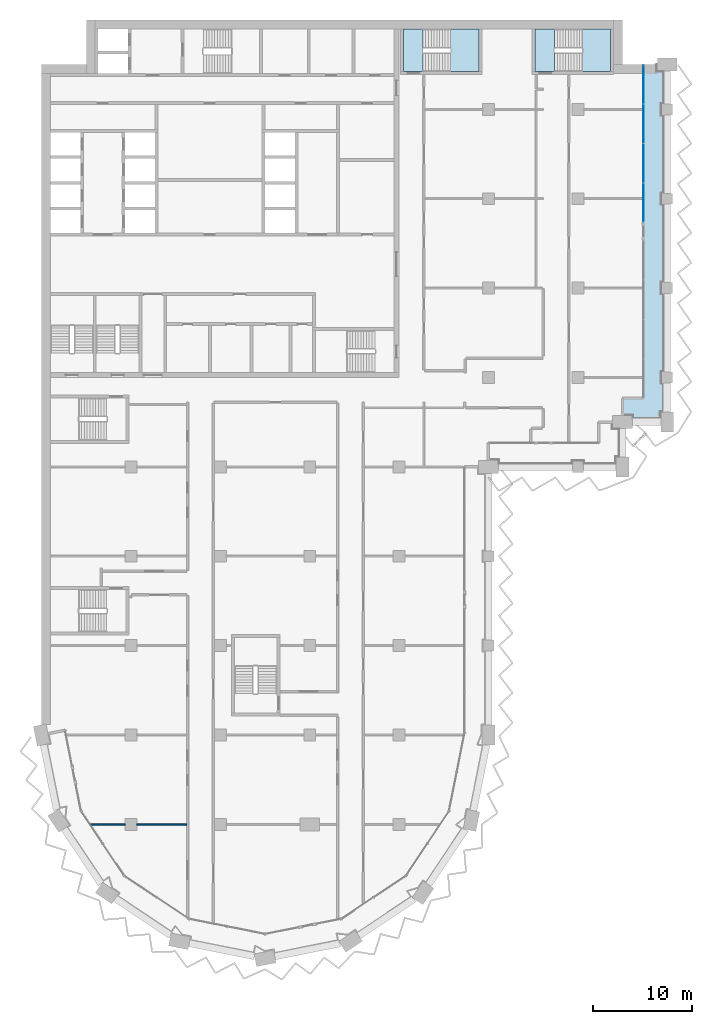
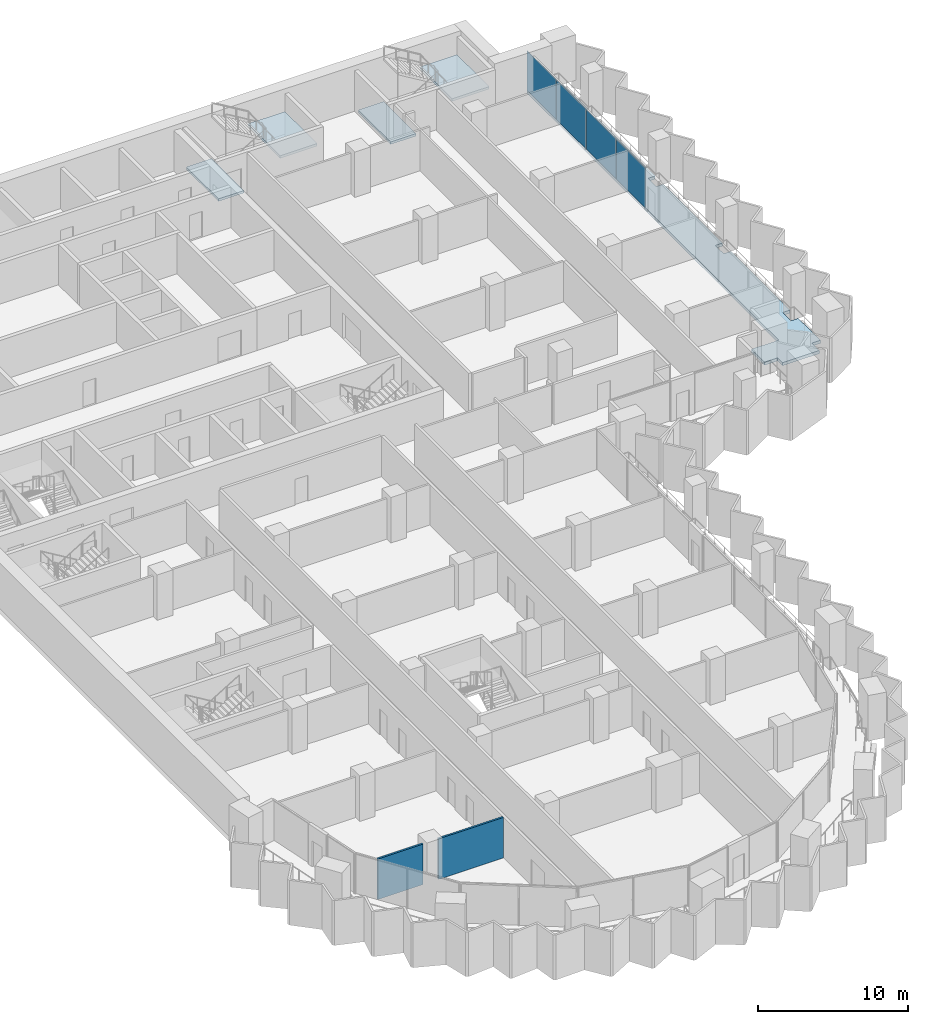
# One storey, part 7 of 22: 5 slabs, 4 plates, 2 walls, 3 elements without a shape of their own.
"""IFC4 building model written with IfcOpenShell, lengths in metres."""

import ifcopenshell
import ifcopenshell.guid

model = None  # the IFC model being written
_history = None  # IfcOwnerHistory: only IFC2X3 demands one
_inside = {}  # id of a spatial element -> (the spatial element, [elements in it])
_under = {}  # id of a project, library or spatial element -> (it, [spatial elements below it])
_declared = {}  # id of a project -> (the project, [libraries it declares])
_typed = {}  # id of a type object -> (the type object, [elements of that type])
_made_of = {}  # id of a material, layer set ... -> (it, [elements and type objects made of it])


def new_model(schema):
    """Start an empty IFC model of exactly this schema.

    Asked for "IFC4X3", IfcOpenShell would pick the latest addendum, in which some entities
    have other attributes; the version numbers below select the first issue.
    IFC2X3 requires an IfcOwnerHistory on every rooted entity: one is made here for all.
    """
    global model, _history
    if schema == "IFC4X3":
        model = ifcopenshell.file(schema_version=(4, 3, 0, 0))
    else:
        model = ifcopenshell.file(schema=schema)
    _inside.clear()
    _under.clear()
    _declared.clear()
    _typed.clear()
    _made_of.clear()
    _history = None
    if model.schema == "IFC2X3":
        org = make("IfcOrganization", Name="unknown")
        user = make(
            "IfcPersonAndOrganization",
            ThePerson=make("IfcPerson", FamilyName="unknown"),
            TheOrganization=org,
        )
        app = make(
            "IfcApplication",
            ApplicationDeveloper=org,
            Version="unknown",
            ApplicationFullName="unknown",
            ApplicationIdentifier="unknown",
        )
        _history = make(
            "IfcOwnerHistory",
            OwningUser=user,
            OwningApplication=app,
            ChangeAction="ADDED",
            CreationDate=0,
        )
    return model


def make(cls, **values):
    """One entity of the class cls with the attributes given. An attribute that is None is left unset."""
    return model.create_entity(
        cls, **{name: value for name, value in values.items() if value is not None}
    )


def rooted(cls, **values):
    """An entity with a GlobalId (a new one), such as an element, a storey or a relation."""
    return make(cls, GlobalId=ifcopenshell.guid.new(), OwnerHistory=_history, **values)


def si_unit(unit_type, name, prefix=None):
    """IfcSIUnit, for example si_unit("LENGTHUNIT", "METRE", prefix="MILLI")."""
    return make("IfcSIUnit", UnitType=unit_type, Prefix=prefix, Name=name)


def assignment(units):
    """IfcUnitAssignment: the units of a project."""
    return None if units is None else make("IfcUnitAssignment", Units=units)


def point(xyz):
    """IfcCartesianPoint."""
    return None if xyz is None else make("IfcCartesianPoint", Coordinates=xyz)


def direction(xyz):
    """IfcDirection."""
    return None if xyz is None else make("IfcDirection", DirectionRatios=xyz)


def frame(location, z_axis=None, x_axis=None):
    """IfcAxis2Placement3D, a coordinate frame: its origin and axes. An axis left out is left unset."""
    return make(
        "IfcAxis2Placement3D",
        Location=point(location),
        Axis=direction(z_axis),
        RefDirection=direction(x_axis),
    )


def frame_2d(location, x_axis=None):
    """IfcAxis2Placement2D, a coordinate frame in the plane: its origin and x axis."""
    return make(
        "IfcAxis2Placement2D", Location=point(location), RefDirection=direction(x_axis)
    )


def origin():
    """The frame at (0, 0, 0) with its axes left unset."""
    return frame((0.0, 0.0, 0.0))


def origin_2d():
    """The frame at (0, 0) in the plane with its x axis left unset."""
    return frame_2d((0.0, 0.0))


def place(relative_to, where):
    """IfcLocalPlacement: puts the frame where relative to a parent placement (None: the world)."""
    return make(
        "IfcLocalPlacement", PlacementRelTo=relative_to, RelativePlacement=where
    )


def context(
    kind, dimensions, precision=None, world=None, true_north=None, identifier=None
):
    """IfcGeometricRepresentationContext, for example the 3D "Model" context."""
    return make(
        "IfcGeometricRepresentationContext",
        ContextIdentifier=identifier,
        ContextType=kind,
        CoordinateSpaceDimension=dimensions,
        Precision=precision,
        WorldCoordinateSystem=world,
        TrueNorth=true_north,
    )


def subcontext(parent, identifier, kind, view, scale=None):
    """IfcGeometricRepresentationSubContext, for example "Body" below "Model"."""
    return make(
        "IfcGeometricRepresentationSubContext",
        ContextIdentifier=identifier,
        ContextType=kind,
        ParentContext=parent,
        TargetScale=scale,
        TargetView=view,
    )


def project(units=None, contexts=None):
    """IfcProject with its units and contexts."""
    return rooted(
        "IfcProject",
        Name="project",
        RepresentationContexts=contexts,
        UnitsInContext=assignment(units),
    )


def spatial(cls, under=None, at=None, **own):
    """A site, building, storey or space (cls), placed at a placement, below another one or the project."""
    s = rooted(cls, ObjectPlacement=at, **own)
    if under is not None:
        _under.setdefault(under.id(), (under, []))[1].append(s)
    return s


def polyline(points):
    """IfcPolyline through the points."""
    return make("IfcPolyline", Points=[point(p) for p in points])


def profile(cls, at=None, kind="AREA", **sizes):
    """A parametric profile (cls). Its sizes go by their IFC names, for example OverallWidth=200.0."""
    return make(cls, ProfileType=kind, Position=at, **sizes)


def rectangle(**sizes):
    """IfcRectangleProfileDef."""
    return profile("IfcRectangleProfileDef", **sizes)


def outline(outer, holes=None, kind="AREA"):
    """IfcArbitraryClosedProfileDef: a profile drawn as a closed curve; with holes, ...WithVoids."""
    if holes is None:
        return make("IfcArbitraryClosedProfileDef", ProfileType=kind, OuterCurve=outer)
    return make(
        "IfcArbitraryProfileDefWithVoids",
        ProfileType=kind,
        OuterCurve=outer,
        InnerCurves=holes,
    )


def extrude(swept, where, along, depth):
    """IfcExtrudedAreaSolid: the profile swept, set in the frame where, extruded along a direction by depth."""
    return make(
        "IfcExtrudedAreaSolid",
        SweptArea=swept,
        Position=where,
        ExtrudedDirection=direction(along),
        Depth=depth,
    )


def shape(context_of_items, identifier, shape_type, items):
    """IfcShapeRepresentation: the items that make up one representation, for example the "Body"."""
    return make(
        "IfcShapeRepresentation",
        ContextOfItems=context_of_items,
        RepresentationIdentifier=identifier,
        RepresentationType=shape_type,
        Items=items,
    )


def material(Name=None, Category=None):
    """IfcMaterial."""
    return make("IfcMaterial", Name=Name, Category=Category)


def layer(
    of_material, thickness, ventilated=None, Name=None, Category=None, Priority=None
):
    """IfcMaterialLayer: one layer of a wall or slab, of a material (None: an air gap)."""
    return make(
        "IfcMaterialLayer",
        Material=of_material,
        LayerThickness=thickness,
        IsVentilated=ventilated,
        Name=Name,
        Category=Category,
        Priority=Priority,
    )


def layer_set(layers, Name=None):
    """IfcMaterialLayerSet."""
    return make("IfcMaterialLayerSet", MaterialLayers=layers, LayerSetName=Name)


def made_of(thing, what):
    """Note that an element or type object is made of a material, layer set ...; save() writes the relation."""
    if what is not None:
        _made_of.setdefault(what.id(), (what, []))[1].append(thing)
    return thing


def type_object(cls, material=None, **own):
    """A type object (cls), such as IfcWallType, which elements share."""
    return made_of(rooted(cls, **own), material)


def element(
    cls,
    number,
    at=None,
    inside=None,
    cuts=None,
    type_object=None,
    material=None,
    context=None,
    identifier="Body",
    shape_type=None,
    held_by="IfcProductDefinitionShape",
    body=None,
    shapes=None,
    **own,
):
    """One element of the class cls, such as IfcWall. Its Tag is "e" and its number.

    at: its placement. inside: the storey or other place that contains it. cuts: it is an
    opening in that element (IfcRelVoidsElement). A single representation is given by context,
    identifier, shape_type and body (its items); several are given by shapes. held_by: the class
    of the entity that holds the representations. save() writes the other relations.
    """
    e = rooted(cls, Tag="e%d" % number, ObjectPlacement=at, **own)
    if body is not None:
        shapes = [shape(context, identifier, shape_type, body)]
    if shapes is not None:
        e.Representation = make(held_by, Representations=shapes)
    if inside is not None:
        _inside.setdefault(inside.id(), (inside, []))[1].append(e)
    if cuts is not None:
        rooted(
            "IfcRelVoidsElement", RelatingBuildingElement=cuts, RelatedOpeningElement=e
        )
    if type_object is not None:
        _typed.setdefault(type_object.id(), (type_object, []))[1].append(e)
    return made_of(e, material)


def aggregate(whole, parts):
    """IfcRelAggregates: a whole, such as a stair, and the parts it consists of."""
    return rooted("IfcRelAggregates", RelatingObject=whole, RelatedObjects=parts)


def save(model, path):
    """Write the relations noted so far, then the file.

    IfcRelAggregates (storeys below a building ...), IfcRelContainedInSpatialStructure (elements
    in a storey), IfcRelDefinesByType, IfcRelAssociatesMaterial and IfcRelDeclares: one each for
    every whole, place, type object, material and project.
    """
    for whole, parts in _under.values():
        aggregate(whole, parts)
    for where, things in _inside.values():
        rooted(
            "IfcRelContainedInSpatialStructure",
            RelatedElements=things,
            RelatingStructure=where,
        )
    for kind, things in _typed.values():
        rooted("IfcRelDefinesByType", RelatedObjects=things, RelatingType=kind)
    for what, things in _made_of.values():
        rooted("IfcRelAssociatesMaterial", RelatedObjects=things, RelatingMaterial=what)
    for by, libraries in _declared.values():
        rooted("IfcRelDeclares", RelatingContext=by, RelatedDefinitions=libraries)
    model.write(path)


model = new_model("IFC4")

# Units and contexts
model_context = context("Model", 3, precision=1e-05, world=origin(), true_north=direction((0.0, 1.0)))
body_context = subcontext(model_context, "Body", "Model", "MODEL_VIEW")
ifc_project = project(units=[si_unit("LENGTHUNIT", "METRE"), si_unit("AREAUNIT", "SQUARE_METRE"), si_unit("VOLUMEUNIT", "CUBIC_METRE"), si_unit("PLANEANGLEUNIT", "RADIAN"), si_unit("MASSUNIT", "GRAM", prefix="KILO")], contexts=[model_context])

# Site, building, storey
site_placement = place(None, origin())
site = spatial("IfcSite", under=ifc_project, at=site_placement, CompositionType="ELEMENT")
building_placement = place(site_placement, origin())
building = spatial("IfcBuilding", under=site, at=building_placement, Name="Hunhe Ridgeline Campus", CompositionType="ELEMENT")
storey_placement = place(building_placement, frame((0.0, 0.0, 163.39990234375)))
storey = spatial("IfcBuildingStorey", under=building, at=storey_placement, Name="L41", CompositionType="ELEMENT", Elevation=163.39990234375)

# Curtain wall, plates
ifc_material_1 = material(Name="Aluminium 6063", Category="aluminium")
curtain_wall_type = type_object("IfcCurtainWallType", Name="Curtain wall CW-1", PredefinedType="NOTDEFINED", material=ifc_material_1)
curtain_wall_placement = place(storey_placement, origin())
curtain_wall = element("IfcCurtainWall", 1, at=curtain_wall_placement, inside=storey, type_object=curtain_wall_type, Name="Curtain wall 16", PredefinedType="NOTDEFINED")
ifc_material_2 = material(Name="Low-e laminated glass", Category="glass")
ifc_layer_1 = layer(ifc_material_2, 0.028076171875)
ifc_layer_set_1 = layer_set([ifc_layer_1], Name="Curtain wall glass panel 28 low-e laminated")
plate_type = type_object("IfcPlateType", Name="Curtain wall glass panel 28 low-e laminated", PredefinedType="CURTAIN_PANEL", material=ifc_layer_set_1)
plate_1_placement = place(storey_placement, frame((60.59912109375, 80.60302734375, 0.0), z_axis=(0.0, 0.0, 1.0), x_axis=(0.0, 1.0, 0.0)))
plate_1 = element("IfcPlate", 2, at=plate_1_placement, type_object=plate_type, Name="CW-1 panel 1", PredefinedType="CURTAIN_PANEL", context=body_context, shape_type="SweptSolid", body=[
    extrude(rectangle(XDim=3.884765625, YDim=0.028076171875, at=origin_2d()), origin(), (0.0, 0.0, 1.0), 3.239990234375),
])
plate_2_placement = place(storey_placement, frame((60.59912109375, 84.562744140625, 0.0), z_axis=(0.0, 0.0, 1.0), x_axis=(0.0, 1.0, 0.0)))
plate_2 = element("IfcPlate", 3, at=plate_2_placement, type_object=plate_type, Name="CW-1 panel 2", PredefinedType="CURTAIN_PANEL", context=body_context, shape_type="SweptSolid", body=[
    extrude(rectangle(XDim=3.914794921875, YDim=0.028076171875, at=origin_2d()), origin(), (0.0, 0.0, 1.0), 3.239990234375),
])
plate_3_placement = place(storey_placement, frame((60.59912109375, 88.53759765625, 0.0), z_axis=(0.0, 0.0, 1.0), x_axis=(0.0, 1.0, 0.0)))
plate_3 = element("IfcPlate", 4, at=plate_3_placement, type_object=plate_type, Name="CW-1 panel 3", PredefinedType="CURTAIN_PANEL", context=body_context, shape_type="SweptSolid", body=[
    extrude(rectangle(XDim=3.914794921875, YDim=0.028076171875, at=origin_2d()), origin(), (0.0, 0.0, 1.0), 3.239990234375),
])
plate_4_placement = place(storey_placement, frame((60.59912109375, 92.49755859375, 0.0), z_axis=(0.0, 0.0, 1.0), x_axis=(0.0, 1.0, 0.0)))
plate_4 = element("IfcPlate", 5, at=plate_4_placement, type_object=plate_type, Name="CW-1 panel 4", PredefinedType="CURTAIN_PANEL", context=body_context, shape_type="SweptSolid", body=[
    extrude(rectangle(XDim=3.884765625, YDim=0.028076171875, at=origin_2d()), origin(), (0.0, 0.0, 1.0), 3.239990234375),
])
aggregate(curtain_wall, [plate_1, plate_2, plate_3, plate_4])

# Slab
ifc_material_3 = material(Name="Concrete C40", Category="concrete")
ifc_layer_2 = layer(ifc_material_3, 0.25)
ifc_layer_set_2 = layer_set([ifc_layer_2], Name="Loggia slab 250 Concrete C40")
slab_type_1 = type_object("IfcSlabType", Name="Loggia slab 250 Concrete C40", PredefinedType="FLOOR", material=ifc_layer_set_2)
slab_1_placement = place(storey_placement, frame((0.0, 0.0, -0.25)))
element("IfcSlab", 6, at=slab_1_placement, inside=storey, type_object=slab_type_1, Name="Loggia slab 3", PredefinedType="FLOOR", context=body_context, shape_type="SweptSolid", body=[
    extrude(outline(polyline([(58.5, 59.14990234375), (59.5, 59.14990234375), (59.5, 58.5), (62.35009765625, 58.5), (62.35009765625, 59.5), (63.0, 59.5), (63.0, 62.449951171875), (62.449951171875, 62.449951171875), (62.449951171875, 63.550048828125), (63.0, 63.550048828125), (63.0, 71.449951171875), (62.449951171875, 71.449951171875), (62.449951171875, 72.550048828125), (63.0, 72.550048828125), (63.0, 80.449951171875), (62.449951171875, 80.449951171875), (62.449951171875, 81.550048828125), (63.0, 81.550048828125), (63.0, 89.449951171875), (62.449951171875, 89.449951171875), (62.449951171875, 90.550048828125), (63.0, 90.550048828125), (63.0, 93.85009765625), (62.0, 93.85009765625), (62.0, 94.5), (60.60009765625, 94.5), (60.60009765625, 60.89990234375), (58.5, 60.89990234375), (58.5, 59.14990234375)])), origin(), (0.0, 0.0, 1.0), 0.25),
])

# Stair, slab
stair_type = type_object("IfcStairType", Name="Reinforced concrete dog-leg stair 1950 Concrete C40", PredefinedType="HALF_TURN_STAIR", material=ifc_material_3)
stair_1_placement = place(storey_placement, origin())
stair_1 = element("IfcStair", 7, at=stair_1_placement, inside=storey, type_object=stair_type, Name="L41 E1", PredefinedType="HALF_TURN_STAIR")
ifc_layer_3 = layer(ifc_material_3, 0.199951171875)
ifc_layer_set_3 = layer_set([ifc_layer_3], Name="Reinforced concrete stair landing 200 Concrete C40")
slab_type_2 = type_object("IfcSlabType", Name="Reinforced concrete stair landing 200 Concrete C40", PredefinedType="LANDING", material=ifc_layer_set_3)
slab_2_placement = place(storey_placement, frame((0.0, 0.0, 1.650146484375)))
slab_2 = element("IfcSlab", 8, at=slab_2_placement, type_object=slab_type_2, Name="ST5 landing 1", PredefinedType="LANDING", context=body_context, shape_type="SweptSolid", body=[
    extrude(outline(polyline([(41.199951171875, 93.800048828125), (44.050048828125, 93.800048828125), (44.050048828125, 98.10009765625), (41.199951171875, 98.10009765625), (41.199951171875, 93.800048828125)])), origin(), (0.0, 0.0, 1.0), 0.199951171875),
])
aggregate(stair_1, [slab_2])

# Slab
slab_3_placement = place(storey_placement, frame((0.0, 0.0, -0.199951171875)))
element("IfcSlab", 9, at=slab_3_placement, inside=storey, type_object=slab_type_2, Name="L41 stair E1 floor landing", PredefinedType="LANDING", context=body_context, shape_type="SweptSolid", body=[
    extrude(outline(polyline([(36.449951171875, 93.800048828125), (38.39990234375, 93.800048828125), (38.39990234375, 98.10009765625), (36.449951171875, 98.10009765625), (36.449951171875, 93.800048828125)])), origin(), (0.0, 0.0, 1.0), 0.199951171875),
])

# Stair, slab
stair_2_placement = place(storey_placement, origin())
stair_2 = element("IfcStair", 10, at=stair_2_placement, inside=storey, type_object=stair_type, Name="L41 E2", PredefinedType="HALF_TURN_STAIR")
slab_4_placement = place(storey_placement, frame((0.0, 0.0, 1.650146484375)))
slab_4 = element("IfcSlab", 11, at=slab_4_placement, type_object=slab_type_2, Name="ST6 landing 1", PredefinedType="LANDING", context=body_context, shape_type="SweptSolid", body=[
    extrude(outline(polyline([(54.449951171875, 93.800048828125), (57.300048828125, 93.800048828125), (57.300048828125, 98.10009765625), (54.449951171875, 98.10009765625), (54.449951171875, 93.800048828125)])), origin(), (0.0, 0.0, 1.0), 0.199951171875),
])
aggregate(stair_2, [slab_4])

# Slab
slab_5_placement = place(storey_placement, frame((0.0, 0.0, -0.199951171875)))
element("IfcSlab", 12, at=slab_5_placement, inside=storey, type_object=slab_type_2, Name="L41 stair E2 floor landing", PredefinedType="LANDING", context=body_context, shape_type="SweptSolid", body=[
    extrude(outline(polyline([(49.699951171875, 93.800048828125), (51.64990234375, 93.800048828125), (51.64990234375, 98.10009765625), (49.699951171875, 98.10009765625), (49.699951171875, 93.800048828125)])), origin(), (0.0, 0.0, 1.0), 0.199951171875),
])

# Walls
ifc_material_4 = material(Name="Gypsum board partition")
ifc_layer_4 = layer(ifc_material_4, 0.14990234375)
ifc_layer_set_4 = layer_set([ifc_layer_4], Name="Room partition 150 gypsum board on steel studs")
wall_type = type_object("IfcWallType", Name="Room partition 150 gypsum board on steel studs", PredefinedType="PARTITIONING", material=ifc_layer_set_4)
wall_1_placement = place(storey_placement, frame((4.925537109375, 18.0, 0.0), z_axis=(0.0, 0.0, 1.0), x_axis=(1.0, 0.0, 0.0)))
element("IfcWall", 13, at=wall_1_placement, inside=storey, type_object=wall_type, Name="F-L41-wall-001", PredefinedType="PARTITIONING", context=body_context, shape_type="SweptSolid", body=[
    extrude(rectangle(XDim=3.474365234375, YDim=0.14990234375, at=frame_2d((1.7373046875, 0.0))), origin(), (0.0, 0.0, 1.0), 3.300048828125),
])
wall_2_placement = place(storey_placement, frame((9.60009765625, 18.0, 0.0), z_axis=(0.0, 0.0, 1.0), x_axis=(1.0, 0.0, 0.0)))
element("IfcWall", 14, at=wall_2_placement, inside=storey, type_object=wall_type, Name="F-L41-wall-002", PredefinedType="PARTITIONING", context=body_context, shape_type="SweptSolid", body=[
    extrude(rectangle(XDim=5.0, YDim=0.14990234375, at=frame_2d((2.5, 0.0))), origin(), (0.0, 0.0, 1.0), 3.300048828125),
])

save(model, "model.ifc")
